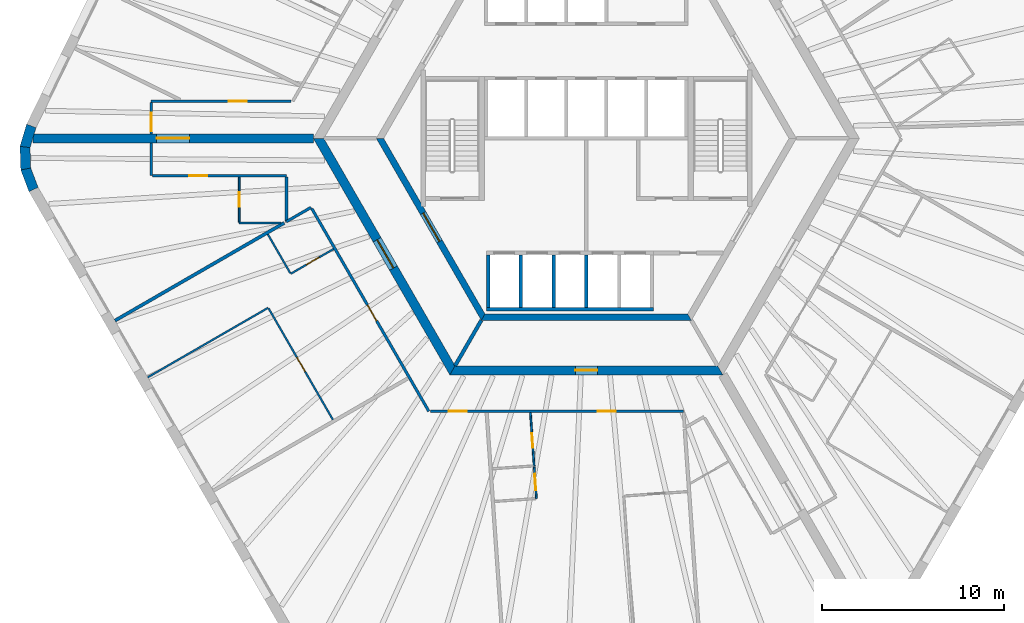
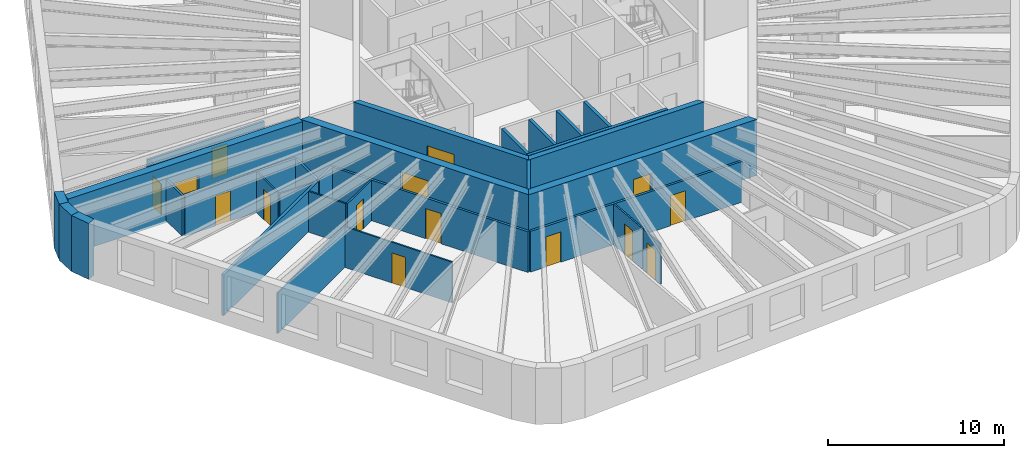
# One storey, part 3 of 10: 31 walls, 15 doors, 15 openings.
"""IFC4 building model written with IfcOpenShell, lengths in metres."""

from ifc_helpers import new_model, si_unit, direction, frame, frame_2d, origin, place, context, subcontext, project, spatial, polyline, rectangle, outline, extrude, material, layer, layer_set, type_object, element, fill, save


model = new_model("IFC4")

# Units and contexts
model_context = context("Model", 3, precision=1e-05, world=origin(), true_north=direction((0.0, 1.0)))
body_context = subcontext(model_context, "Body", "Model", "MODEL_VIEW")
ifc_project = project(units=[si_unit("LENGTHUNIT", "METRE"), si_unit("AREAUNIT", "SQUARE_METRE"), si_unit("VOLUMEUNIT", "CUBIC_METRE"), si_unit("PLANEANGLEUNIT", "RADIAN"), si_unit("MASSUNIT", "GRAM", prefix="KILO")], contexts=[model_context])

# Site, building, storey
site_placement = place(None, origin())
site = spatial("IfcSite", under=ifc_project, at=site_placement, CompositionType="ELEMENT")
building_placement = place(site_placement, origin())
building = spatial("IfcBuilding", under=site, at=building_placement, Name="Tarnside Tower", CompositionType="ELEMENT")
storey_placement = place(building_placement, frame((0.0, 0.0, 242.39990234375)))
storey = spatial("IfcBuildingStorey", under=building, at=storey_placement, Name="L58", CompositionType="ELEMENT", Elevation=242.39990234375)

# Wall
ifc_material_1 = material(Name="Gypsum board partition on steel studs", Category="steel")
ifc_layer_1 = layer(ifc_material_1, 0.10009765625)
ifc_layer_set_1 = layer_set([ifc_layer_1], Name="Bathroom wall 100")
wall_type_1 = type_object("IfcWallType", Name="Bathroom wall 100", PredefinedType="PARTITIONING", material=ifc_layer_set_1)
wall_1_placement = place(storey_placement, frame((-16.79833984375, -4.64990234375, 0.0), z_axis=(0.0, 0.0, 1.0), x_axis=(-1.0, 0.0, 0.0)))
element("IfcWall", 1, at=wall_1_placement, inside=storey, type_object=wall_type_1, Name="Bathroom wall 19075", PredefinedType="PARTITIONING", context=body_context, shape_type="SweptSolid", body=[
    extrude(rectangle(XDim=2.28857421875, YDim=0.10009765625, at=frame_2d((1.144287109375, 0.0))), origin(), (0.0, 0.0, 1.0), 2.837890625),
])

# Wall, opening, door
wall_2_placement = place(storey_placement, frame((-19.0869140625, -4.60009765625, 0.0), z_axis=(0.0, 0.0, 1.0), x_axis=(0.0, 1.0, 0.0)))
wall_2 = element("IfcWall", 2, at=wall_2_placement, inside=storey, type_object=wall_type_1, Name="Bathroom wall 19076", PredefinedType="PARTITIONING", context=body_context, shape_type="SweptSolid", body=[
    extrude(rectangle(XDim=2.47509765625, YDim=0.10009765625, at=frame_2d((1.237548828125, 0.0))), origin(), (0.0, 0.0, 1.0), 2.837890625),
])
opening_1_placement = place(wall_2_placement, frame((0.85009765625, 0.0, 0.0)))
opening_1 = element("IfcOpeningElement", 3, at=opening_1_placement, cuts=wall_2, Name="Opening D-B1", PredefinedType="OPENING", context=body_context, shape_type="SweptSolid", body=[
    extrude(rectangle(XDim=0.800048828125, YDim=2.10009765625, at=frame_2d((0.39990234375, 1.050048828125))), frame((0.0, 0.06005859375, 0.0), z_axis=(0.0, -1.0, 0.0), x_axis=(1.0, 0.0, 0.0)), (0.0, 0.0, 1.0), 0.1201171875),
])
ifc_material_2 = material(Name="Timber door leaf", Category="wood")
door_type_1 = type_object("IfcDoorType", Name="Bathroom door 800", OperationType="NOTDEFINED", PredefinedType="DOOR", material=ifc_material_2)
door_1_placement = place(opening_1_placement, origin())
door_1 = element("IfcDoor", 4, at=door_1_placement, inside=storey, type_object=door_type_1, Name="Bathroom door 19015", OperationType="SINGLE_SWING_RIGHT", OverallHeight=2.10009765625, OverallWidth=0.800048828125, PredefinedType="DOOR", context=body_context, shape_type="SweptSolid", body=[
    extrude(rectangle(XDim=0.800048828125, YDim=2.10009765625, at=frame_2d((0.39990234375, 1.050048828125))), frame((0.0, 0.02490234375, 0.0), z_axis=(0.0, -1.0, 0.0), x_axis=(1.0, 0.0, 0.0)), (0.0, 0.0, 1.0), 0.050048828125),
])
fill(opening_1, door_1)

wall_3_placement = place(storey_placement, frame((-13.896484375, -6.080810546875, 0.0), z_axis=(0.0, 0.0, 1.0), x_axis=(-0.866012511928, -0.500022328685, 0.0)))
wall_3 = element("IfcWall", 5, at=wall_3_placement, inside=storey, type_object=wall_type_1, Name="Bathroom wall 19079", PredefinedType="PARTITIONING", context=body_context, shape_type="SweptSolid", body=[
    extrude(rectangle(XDim=2.72509765625, YDim=0.10009765625, at=frame_2d((1.362548828125, 0.0))), origin(), (0.0, 0.0, 1.0), 2.837890625),
])
opening_2_placement = place(wall_3_placement, frame((0.925048828125, 0.0, 0.0)))
opening_2 = element("IfcOpeningElement", 6, at=opening_2_placement, cuts=wall_3, Name="Opening D-B1", PredefinedType="OPENING", context=body_context, shape_type="SweptSolid", body=[
    extrude(rectangle(XDim=0.800048828125, YDim=2.10009765625, at=frame_2d((0.39990234375, 1.050048828125))), frame((0.0, 0.06005859375, 0.0), z_axis=(0.0, -1.0, 0.0), x_axis=(1.0, 0.0, 0.0)), (0.0, 0.0, 1.0), 0.1201171875),
])
door_2_placement = place(opening_2_placement, origin())
door_2 = element("IfcDoor", 7, at=door_2_placement, inside=storey, type_object=door_type_1, Name="Bathroom door 19017", OperationType="SINGLE_SWING_RIGHT", OverallHeight=2.10009765625, OverallWidth=0.800048828125, PredefinedType="DOOR", context=body_context, shape_type="SweptSolid", body=[
    extrude(rectangle(XDim=0.800048828125, YDim=2.10009765625, at=frame_2d((0.39990234375, 1.050048828125))), frame((0.0, 0.02490234375, 0.0), z_axis=(0.0, -1.0, 0.0), x_axis=(1.0, 0.0, 0.0)), (0.0, 0.0, 1.0), 0.050048828125),
])
fill(opening_2, door_2)

# Wall
wall_4_placement = place(storey_placement, frame((-16.28125, -7.39990234375, 0.0), z_axis=(0.0, 0.0, 1.0), x_axis=(-0.500003092839, 0.866023618125, 0.0)))
element("IfcWall", 8, at=wall_4_placement, inside=storey, type_object=wall_type_1, Name="Bathroom wall 19080", PredefinedType="PARTITIONING", context=body_context, shape_type="SweptSolid", body=[
    extrude(rectangle(XDim=2.4599609375, YDim=0.10009765625, at=frame_2d((1.22998046875, 0.0))), origin(), (0.0, 0.0, 1.0), 2.837890625),
])

# Wall, opening, door
wall_5_placement = place(storey_placement, frame((-3.073974609375, -15.074951171875, 0.0), z_axis=(0.0, 0.0, 1.0), x_axis=(0.069798496539, -0.99756111085, 0.0)))
wall_5 = element("IfcWall", 9, at=wall_5_placement, inside=storey, type_object=wall_type_1, Name="Bathroom wall 19088", PredefinedType="PARTITIONING", context=body_context, shape_type="SweptSolid", body=[
    extrude(rectangle(XDim=2.9345703125, YDim=0.10009765625, at=frame_2d((1.46728515625, 0.0))), origin(), (0.0, 0.0, 1.0), 2.837890625),
])
opening_3_placement = place(wall_5_placement, frame((1.134521484375, 0.0, 0.0)))
opening_3 = element("IfcOpeningElement", 10, at=opening_3_placement, cuts=wall_5, Name="Opening D-B1", PredefinedType="OPENING", context=body_context, shape_type="SweptSolid", body=[
    extrude(rectangle(XDim=0.800048828125, YDim=2.10009765625, at=frame_2d((0.39990234375, 1.050048828125))), frame((0.0, 0.06005859375, 0.0), z_axis=(0.0, -1.0, 0.0), x_axis=(1.0, 0.0, 0.0)), (0.0, 0.0, 1.0), 0.1201171875),
])
door_3_placement = place(opening_3_placement, origin())
door_3 = element("IfcDoor", 11, at=door_3_placement, inside=storey, type_object=door_type_1, Name="Bathroom door 19021", OperationType="SINGLE_SWING_LEFT", OverallHeight=2.10009765625, OverallWidth=0.800048828125, PredefinedType="DOOR", context=body_context, shape_type="SweptSolid", body=[
    extrude(rectangle(XDim=0.800048828125, YDim=2.10009765625, at=frame_2d((0.39990234375, 1.050048828125))), frame((0.0, 0.02490234375, 0.0), z_axis=(0.0, -1.0, 0.0), x_axis=(1.0, 0.0, 0.0)), (0.0, 0.0, 1.0), 0.050048828125),
])
fill(opening_3, door_3)

ifc_material_3 = material(Name="Concrete C50/60", Category="concrete")
ifc_layer_2 = layer(ifc_material_3, 0.35009765625)
ifc_layer_set_2 = layer_set([ifc_layer_2], Name="Core block wall 350 C50/60")
wall_type_2 = type_object("IfcWallType", Name="Core block wall 350 C50/60", PredefinedType="SHEAR", material=ifc_layer_set_2)
wall_6_placement = place(storey_placement, frame((-11.344970703125, 0.0, -0.14990234375), z_axis=(0.0, 0.0, 1.0), x_axis=(0.499995046907, -0.866028263435, 0.0)))
wall_6 = element("IfcWall", 12, at=wall_6_placement, inside=storey, type_object=wall_type_2, Name="L58 core block wall face 3", PredefinedType="SHEAR", context=body_context, shape_type="SweptSolid", body=[
    extrude(outline(polyline([(-0.10107421875, -0.175048828125), (11.44580078125, -0.175048828125), (11.24365234375, 0.175048828125), (0.10107421875, 0.175048828125), (-0.10107421875, -0.175048828125)])), origin(), (0.0, 0.0, 1.0), 3.89990234375),
])
opening_4_placement = place(wall_6_placement, frame((4.74365234375, 0.0, 0.14990234375)))
opening_4 = element("IfcOpeningElement", 13, at=opening_4_placement, cuts=wall_6, Name="Opening CD-FFL", PredefinedType="OPENING", context=body_context, shape_type="SweptSolid", body=[
    extrude(rectangle(XDim=1.800048828125, YDim=2.39990234375, at=frame_2d((0.89990234375, 1.199951171875))), frame((0.0, 0.18505859375, 0.0), z_axis=(0.0, -1.0, 0.0), x_axis=(1.0, 0.0, 0.0)), (0.0, 0.0, 1.0), 0.3701171875),
])
ifc_material_4 = material(Name="Steel fire door", Category="steel")
door_type_2 = type_object("IfcDoorType", Name="Firefighting lobby double door FD60S 1800x2400", OperationType="NOTDEFINED", PredefinedType="DOOR", material=ifc_material_4)
door_4_placement = place(opening_4_placement, origin())
door_4 = element("IfcDoor", 14, at=door_4_placement, inside=storey, type_object=door_type_2, Name="L58 lobby block door P3", OperationType="DOUBLE_DOOR_SINGLE_SWING", OverallHeight=2.39990234375, OverallWidth=1.800048828125, PredefinedType="DOOR", context=body_context, shape_type="SweptSolid", body=[
    extrude(rectangle(XDim=1.800048828125, YDim=2.39990234375, at=frame_2d((0.89990234375, 1.199951171875))), frame((0.0, 0.02490234375, 0.0), z_axis=(0.0, -1.0, 0.0), x_axis=(1.0, 0.0, 0.0)), (0.0, 0.0, 1.0), 0.050048828125),
])
fill(opening_4, door_4)

# Wall
wall_7_placement = place(storey_placement, frame((-5.672607421875, -9.824951171875, -0.14990234375), z_axis=(0.0, 0.0, 1.0), x_axis=(1.0, 0.0, 0.0)))
element("IfcWall", 15, at=wall_7_placement, inside=storey, type_object=wall_type_2, Name="L58 core block wall face 4", PredefinedType="SHEAR", context=body_context, shape_type="SweptSolid", body=[
    extrude(outline(polyline([(-0.10107421875, -0.175048828125), (11.4462890625, -0.175048828125), (11.244140625, 0.175048828125), (0.10107421875, 0.175048828125), (-0.10107421875, -0.175048828125)])), origin(), (0.0, 0.0, 1.0), 3.89990234375),
])

# Wall, opening, door
ifc_material_5 = material(Name="Concrete C70/85", Category="concrete")
ifc_layer_3 = layer(ifc_material_5, 0.5)
ifc_layer_set_3 = layer_set([ifc_layer_3], Name="Core wall Z2 500 C70/85")
wall_type_3 = type_object("IfcWallType", Name="Core wall Z2 500 C70/85", PredefinedType="SHEAR", material=ifc_layer_set_3)
wall_8_placement = place(storey_placement, frame((-14.722412109375, 0.0, -0.14990234375), z_axis=(0.0, 0.0, 1.0), x_axis=(0.50000571537, -0.866022103989, 0.0)))
wall_8 = element("IfcWall", 16, at=wall_8_placement, inside=storey, type_object=wall_type_3, Name="L58 core wall face 3", PredefinedType="SHEAR", context=body_context, shape_type="SweptSolid", body=[
    extrude(outline(polyline([(-0.144287109375, -0.25), (14.86669921875, -0.25), (14.578125, 0.25), (0.144287109375, 0.25), (-0.144287109375, -0.25)])), origin(), (0.0, 0.0, 1.0), 3.89990234375),
])
opening_5_placement = place(wall_8_placement, frame((6.432373046875, 0.0, 0.14990234375)))
opening_5 = element("IfcOpeningElement", 17, at=opening_5_placement, cuts=wall_8, Name="Opening CD-FFL", PredefinedType="OPENING", context=body_context, shape_type="SweptSolid", body=[
    extrude(rectangle(XDim=1.800048828125, YDim=2.39990234375, at=frame_2d((0.89990234375, 1.199951171875))), frame((0.0, 0.260009765625, 0.0), z_axis=(0.0, -1.0, 0.0), x_axis=(1.0, 0.0, 0.0)), (0.0, 0.0, 1.0), 0.52001953125),
])
door_5_placement = place(opening_5_placement, origin())
door_5 = element("IfcDoor", 18, at=door_5_placement, inside=storey, type_object=door_type_2, Name="L58 core door P3", OperationType="DOUBLE_DOOR_SINGLE_SWING", OverallHeight=2.39990234375, OverallWidth=1.800048828125, PredefinedType="DOOR", context=body_context, shape_type="SweptSolid", body=[
    extrude(rectangle(XDim=1.800048828125, YDim=2.39990234375, at=frame_2d((0.89990234375, 1.199951171875))), frame((0.0, 0.02490234375, 0.0), z_axis=(0.0, -1.0, 0.0), x_axis=(1.0, 0.0, 0.0)), (0.0, 0.0, 1.0), 0.050048828125),
])
fill(opening_5, door_5)

wall_9_placement = place(storey_placement, frame((-7.361083984375, -12.75, -0.14990234375), z_axis=(0.0, 0.0, 1.0), x_axis=(1.0, 0.0, 0.0)))
wall_9 = element("IfcWall", 19, at=wall_9_placement, inside=storey, type_object=wall_type_3, Name="L58 core wall face 4", PredefinedType="SHEAR", context=body_context, shape_type="SweptSolid", body=[
    extrude(outline(polyline([(-0.144287109375, -0.25), (14.866455078125, -0.25), (14.577880859375, 0.25), (0.144287109375, 0.25), (-0.144287109375, -0.25)])), origin(), (0.0, 0.0, 1.0), 3.89990234375),
])
opening_6_placement = place(wall_9_placement, frame((6.76123046875, 0.0, 0.14990234375)))
opening_6 = element("IfcOpeningElement", 20, at=opening_6_placement, cuts=wall_9, Name="Opening CD-RSR", PredefinedType="OPENING", context=body_context, shape_type="SweptSolid", body=[
    extrude(rectangle(XDim=1.199951171875, YDim=2.39990234375, at=frame_2d((0.60009765625, 1.199951171875))), frame((0.0, 0.260009765625, 0.0), z_axis=(0.0, -1.0, 0.0), x_axis=(1.0, 0.0, 0.0)), (0.0, 0.0, 1.0), 0.52001953125),
])
door_type_3 = type_object("IfcDoorType", Name="Riser door FD60 1200x2400", OperationType="NOTDEFINED", PredefinedType="DOOR", material=ifc_material_4)
door_6_placement = place(opening_6_placement, origin())
door_6 = element("IfcDoor", 21, at=door_6_placement, inside=storey, type_object=door_type_3, Name="L58 core door S6", OperationType="SINGLE_SWING_LEFT", OverallHeight=2.39990234375, OverallWidth=1.199951171875, PredefinedType="DOOR", context=body_context, shape_type="SweptSolid", body=[
    extrude(rectangle(XDim=1.199951171875, YDim=2.39990234375, at=frame_2d((0.60009765625, 1.199951171875))), frame((0.0, 0.02490234375, 0.0), z_axis=(0.0, -1.0, 0.0), x_axis=(1.0, 0.0, 0.0)), (0.0, 0.0, 1.0), 0.050048828125),
])
fill(opening_6, door_6)

wall_10_placement = place(storey_placement, frame((-15.010986328125, 0.0, -0.14990234375), z_axis=(0.0, 0.0, 1.0), x_axis=(-1.0, 0.0, 0.0)))
wall_10 = element("IfcWall", 22, at=wall_10_placement, inside=storey, type_object=wall_type_3, Name="L58 spine wall 2", PredefinedType="SHEAR", context=body_context, shape_type="SweptSolid", body=[
    extrude(rectangle(XDim=15.423828125, YDim=0.5, at=frame_2d((7.7119140625, 0.0))), origin(), (0.0, 0.0, 1.0), 3.89990234375),
])
opening_7_placement = place(wall_10_placement, frame((6.811767578125, 0.0, 0.14990234375)))
opening_7 = element("IfcOpeningElement", 23, at=opening_7_placement, cuts=wall_10, Name="Opening CD-SPN", PredefinedType="OPENING", context=body_context, shape_type="SweptSolid", body=[
    extrude(rectangle(XDim=1.800048828125, YDim=2.39990234375, at=frame_2d((0.89990234375, 1.199951171875))), frame((0.0, 0.260009765625, 0.0), z_axis=(0.0, -1.0, 0.0), x_axis=(1.0, 0.0, 0.0)), (0.0, 0.0, 1.0), 0.52001953125),
])
door_type_4 = type_object("IfcDoorType", Name="Spine passage double door FD60 1800x2400", OperationType="NOTDEFINED", PredefinedType="DOOR", material=ifc_material_4)
door_7_placement = place(opening_7_placement, origin())
door_7 = element("IfcDoor", 24, at=door_7_placement, inside=storey, type_object=door_type_4, Name="L58 spine passage door 2", OperationType="DOUBLE_DOOR_SINGLE_SWING", OverallHeight=2.39990234375, OverallWidth=1.800048828125, PredefinedType="DOOR", context=body_context, shape_type="SweptSolid", body=[
    extrude(rectangle(XDim=1.800048828125, YDim=2.39990234375, at=frame_2d((0.89990234375, 1.199951171875))), frame((0.0, 0.02490234375, 0.0), z_axis=(0.0, -1.0, 0.0), x_axis=(1.0, 0.0, 0.0)), (0.0, 0.0, 1.0), 0.050048828125),
])
fill(opening_7, door_7)

ifc_layer_4 = layer(ifc_material_1, 0.14990234375)
ifc_layer_set_4 = layer_set([ifc_layer_4], Name="Corridor wall 150 EI 60")
wall_type_4 = type_object("IfcWallType", Name="Corridor wall 150 EI 60", PredefinedType="PARTITIONING", material=ifc_layer_set_4)
wall_11_placement = place(storey_placement, frame((-16.2236328125, 2.050048828125, 0.0), z_axis=(0.0, 0.0, 1.0), x_axis=(-1.0, 0.0, 0.0)))
wall_11 = element("IfcWall", 25, at=wall_11_placement, inside=storey, type_object=wall_type_4, Name="Corridor wall 19015", PredefinedType="PARTITIONING", context=body_context, shape_type="SweptSolid", body=[
    extrude(rectangle(XDim=7.69921875, YDim=0.14990234375, at=frame_2d((3.849609375, 0.0))), origin(), (0.0, 0.0, 1.0), 2.837890625),
])
opening_8_placement = place(wall_11_placement, frame((2.4365234375, 0.0, 0.0)))
opening_8 = element("IfcOpeningElement", 26, at=opening_8_placement, cuts=wall_11, Name="Opening D-E1", PredefinedType="OPENING", context=body_context, shape_type="SweptSolid", body=[
    extrude(rectangle(XDim=1.0, YDim=2.10009765625, at=frame_2d((0.5, 1.050048828125))), frame((0.0, 0.0849609375, 0.0), z_axis=(0.0, -1.0, 0.0), x_axis=(1.0, 0.0, 0.0)), (0.0, 0.0, 1.0), 0.169921875),
])
door_type_5 = type_object("IfcDoorType", Name="Unit entrance door 1000 FD30S", OperationType="NOTDEFINED", PredefinedType="DOOR", material=ifc_material_2)
door_8_placement = place(opening_8_placement, origin())
door_8 = element("IfcDoor", 27, at=door_8_placement, inside=storey, type_object=door_type_5, Name="Unit door 19012", OperationType="SINGLE_SWING_RIGHT", OverallHeight=2.10009765625, OverallWidth=1.0, PredefinedType="DOOR", context=body_context, shape_type="SweptSolid", body=[
    extrude(rectangle(XDim=1.0, YDim=2.10009765625, at=frame_2d((0.5, 1.050048828125))), frame((0.0, 0.02490234375, 0.0), z_axis=(0.0, -1.0, 0.0), x_axis=(1.0, 0.0, 0.0)), (0.0, 0.0, 1.0), 0.050048828125),
])
fill(opening_8, door_8)

wall_12_placement = place(storey_placement, frame((-23.9228515625, 1.97509765625, 0.0), z_axis=(0.0, 0.0, 1.0), x_axis=(0.0, -1.0, 0.0)))
wall_12 = element("IfcWall", 28, at=wall_12_placement, inside=storey, type_object=wall_type_4, Name="Corridor wall 19017", PredefinedType="PARTITIONING", context=body_context, shape_type="SweptSolid", body=[
    extrude(rectangle(XDim=1.72509765625, YDim=0.14990234375, at=frame_2d((0.862548828125, 0.0))), origin(), (0.0, 0.0, 1.0), 2.837890625),
])
opening_9_placement = place(wall_12_placement, frame((0.574951171875, 0.0, 0.0)))
opening_9 = element("IfcOpeningElement", 29, at=opening_9_placement, cuts=wall_12, Name="Opening D-E1", PredefinedType="OPENING", context=body_context, shape_type="SweptSolid", body=[
    extrude(rectangle(XDim=1.0, YDim=2.10009765625, at=frame_2d((0.5, 1.050048828125))), frame((0.0, 0.0849609375, 0.0), z_axis=(0.0, -1.0, 0.0), x_axis=(1.0, 0.0, 0.0)), (0.0, 0.0, 1.0), 0.169921875),
])
door_9_placement = place(opening_9_placement, origin())
door_9 = element("IfcDoor", 30, at=door_9_placement, inside=storey, type_object=door_type_5, Name="Unit door 19013", OperationType="SINGLE_SWING_LEFT", OverallHeight=2.10009765625, OverallWidth=1.0, PredefinedType="DOOR", context=body_context, shape_type="SweptSolid", body=[
    extrude(rectangle(XDim=1.0, YDim=2.10009765625, at=frame_2d((0.5, 1.050048828125))), frame((0.0, 0.02490234375, 0.0), z_axis=(0.0, -1.0, 0.0), x_axis=(1.0, 0.0, 0.0)), (0.0, 0.0, 1.0), 0.050048828125),
])
fill(opening_9, door_9)

# Wall
wall_13_placement = place(storey_placement, frame((-23.9228515625, -0.25, 0.0), z_axis=(0.0, 0.0, 1.0), x_axis=(0.0, -1.0, 0.0)))
element("IfcWall", 31, at=wall_13_placement, inside=storey, type_object=wall_type_4, Name="Corridor wall 19018", PredefinedType="PARTITIONING", context=body_context, shape_type="SweptSolid", body=[
    extrude(rectangle(XDim=1.800048828125, YDim=0.14990234375, at=frame_2d((0.89990234375, 0.0))), origin(), (0.0, 0.0, 1.0), 2.837890625),
])

# Wall, opening, door
wall_14_placement = place(storey_placement, frame((-23.847900390625, -2.050048828125, 0.0), z_axis=(0.0, 0.0, 1.0), x_axis=(1.0, 0.0, 0.0)))
wall_14 = element("IfcWall", 32, at=wall_14_placement, inside=storey, type_object=wall_type_4, Name="Corridor wall 19019", PredefinedType="PARTITIONING", context=body_context, shape_type="SweptSolid", body=[
    extrude(rectangle(XDim=7.36083984375, YDim=0.14990234375, at=frame_2d((3.680419921875, 0.0))), origin(), (0.0, 0.0, 1.0), 2.837890625),
])
opening_10_placement = place(wall_14_placement, frame((2.01806640625, 0.0, 0.0)))
opening_10 = element("IfcOpeningElement", 33, at=opening_10_placement, cuts=wall_14, Name="Opening D-E1", PredefinedType="OPENING", context=body_context, shape_type="SweptSolid", body=[
    extrude(rectangle(XDim=1.0, YDim=2.10009765625, at=frame_2d((0.5, 1.050048828125))), frame((0.0, 0.0849609375, 0.0), z_axis=(0.0, -1.0, 0.0), x_axis=(1.0, 0.0, 0.0)), (0.0, 0.0, 1.0), 0.169921875),
])
door_10_placement = place(opening_10_placement, origin())
door_10 = element("IfcDoor", 34, at=door_10_placement, inside=storey, type_object=door_type_5, Name="Unit door 19014", OperationType="SINGLE_SWING_LEFT", OverallHeight=2.10009765625, OverallWidth=1.0, PredefinedType="DOOR", context=body_context, shape_type="SweptSolid", body=[
    extrude(rectangle(XDim=1.0, YDim=2.10009765625, at=frame_2d((0.5, 1.050048828125))), frame((0.0, 0.02490234375, 0.0), z_axis=(0.0, -1.0, 0.0), x_axis=(1.0, 0.0, 0.0)), (0.0, 0.0, 1.0), 0.050048828125),
])
fill(opening_10, door_10)

# Wall
wall_15_placement = place(storey_placement, frame((-16.487060546875, -2.125, 0.0), z_axis=(0.0, 0.0, 1.0), x_axis=(0.0, -1.0, 0.0)))
element("IfcWall", 35, at=wall_15_placement, inside=storey, type_object=wall_type_4, Name="Corridor wall 19021", PredefinedType="PARTITIONING", context=body_context, shape_type="SweptSolid", body=[
    extrude(rectangle(XDim=2.44921875, YDim=0.14990234375, at=frame_2d((1.224609375, 0.0))), origin(), (0.0, 0.0, 1.0), 2.837890625),
])

# Wall, opening, door
wall_16_placement = place(storey_placement, frame((-15.093994140625, -3.8564453125, 0.0), z_axis=(0.0, 0.0, 1.0), x_axis=(0.500006037985, -0.866021917724, 0.0)))
wall_16 = element("IfcWall", 36, at=wall_16_placement, inside=storey, type_object=wall_type_4, Name="Corridor wall 19022", PredefinedType="PARTITIONING", context=body_context, shape_type="SweptSolid", body=[
    extrude(rectangle(XDim=12.867431640625, YDim=0.14990234375, at=frame_2d((6.43359375, 0.0))), origin(), (0.0, 0.0, 1.0), 2.837890625),
])
opening_11_placement = place(wall_16_placement, frame((6.125, 0.0, 0.0)))
opening_11 = element("IfcOpeningElement", 37, at=opening_11_placement, cuts=wall_16, Name="Opening D-E1", PredefinedType="OPENING", context=body_context, shape_type="SweptSolid", body=[
    extrude(rectangle(XDim=1.0, YDim=2.10009765625, at=frame_2d((0.5, 1.050048828125))), frame((0.0, 0.0849609375, 0.0), z_axis=(0.0, -1.0, 0.0), x_axis=(1.0, 0.0, 0.0)), (0.0, 0.0, 1.0), 0.169921875),
])
door_11_placement = place(opening_11_placement, origin())
door_11 = element("IfcDoor", 38, at=door_11_placement, inside=storey, type_object=door_type_5, Name="Unit door 19016", OperationType="SINGLE_SWING_LEFT", OverallHeight=2.10009765625, OverallWidth=1.0, PredefinedType="DOOR", context=body_context, shape_type="SweptSolid", body=[
    extrude(rectangle(XDim=1.0, YDim=2.10009765625, at=frame_2d((0.5, 1.050048828125))), frame((0.0, 0.02490234375, 0.0), z_axis=(0.0, -1.0, 0.0), x_axis=(1.0, 0.0, 0.0)), (0.0, 0.0, 1.0), 0.050048828125),
])
fill(opening_11, door_11)

# Wall
wall_17_placement = place(storey_placement, frame((-16.490234375, -4.576171875, 0.0), z_axis=(0.0, 0.0, 1.0), x_axis=(0.865993845424, 0.5000546567, 0.0)))
element("IfcWall", 39, at=wall_17_placement, inside=storey, type_object=wall_type_4, Name="Corridor wall 19023", PredefinedType="PARTITIONING", context=body_context, shape_type="SweptSolid", body=[
    extrude(rectangle(XDim=1.569091796875, YDim=0.14990234375, at=frame_2d((0.78466796875, 0.0))), origin(), (0.0, 0.0, 1.0), 2.837890625),
])

# Wall, openings, doors
wall_18_placement = place(storey_placement, frame((-8.57373046875, -15.0, 0.0), z_axis=(0.0, 0.0, 1.0), x_axis=(1.0, 0.0, 0.0)))
wall_18 = element("IfcWall", 40, at=wall_18_placement, inside=storey, type_object=wall_type_4, Name="Corridor wall 19026", PredefinedType="PARTITIONING", context=body_context, shape_type="SweptSolid", body=[
    extrude(rectangle(XDim=13.9150390625, YDim=0.14990234375, at=frame_2d((6.95751953125, 0.0))), origin(), (0.0, 0.0, 1.0), 2.837890625),
])
opening_12_placement = place(wall_18_placement, frame((1.0009765625, 0.0, 0.0)))
opening_12 = element("IfcOpeningElement", 41, at=opening_12_placement, cuts=wall_18, Name="Opening D-E1", PredefinedType="OPENING", context=body_context, shape_type="SweptSolid", body=[
    extrude(rectangle(XDim=1.0, YDim=2.10009765625, at=frame_2d((0.5, 1.050048828125))), frame((0.0, 0.0849609375, 0.0), z_axis=(0.0, -1.0, 0.0), x_axis=(1.0, 0.0, 0.0)), (0.0, 0.0, 1.0), 0.169921875),
])
opening_13_placement = place(wall_18_placement, frame((9.198974609375, 0.0, 0.0)))
opening_13 = element("IfcOpeningElement", 42, at=opening_13_placement, cuts=wall_18, Name="Opening D-E1", PredefinedType="OPENING", context=body_context, shape_type="SweptSolid", body=[
    extrude(rectangle(XDim=1.0, YDim=2.10009765625, at=frame_2d((0.5, 1.050048828125))), frame((0.0, 0.0849609375, 0.0), z_axis=(0.0, -1.0, 0.0), x_axis=(1.0, 0.0, 0.0)), (0.0, 0.0, 1.0), 0.169921875),
])
door_12_placement = place(opening_12_placement, origin())
door_12 = element("IfcDoor", 43, at=door_12_placement, inside=storey, type_object=door_type_5, Name="Unit door 19019", OperationType="SINGLE_SWING_RIGHT", OverallHeight=2.10009765625, OverallWidth=1.0, PredefinedType="DOOR", context=body_context, shape_type="SweptSolid", body=[
    extrude(rectangle(XDim=1.0, YDim=2.10009765625, at=frame_2d((0.5, 1.050048828125))), frame((0.0, 0.02490234375, 0.0), z_axis=(0.0, -1.0, 0.0), x_axis=(1.0, 0.0, 0.0)), (0.0, 0.0, 1.0), 0.050048828125),
])
fill(opening_12, door_12)
door_13_placement = place(opening_13_placement, origin())
door_13 = element("IfcDoor", 44, at=door_13_placement, inside=storey, type_object=door_type_5, Name="Unit door 19020", OperationType="SINGLE_SWING_RIGHT", OverallHeight=2.10009765625, OverallWidth=1.0, PredefinedType="DOOR", context=body_context, shape_type="SweptSolid", body=[
    extrude(rectangle(XDim=1.0, YDim=2.10009765625, at=frame_2d((0.5, 1.050048828125))), frame((0.0, 0.02490234375, 0.0), z_axis=(0.0, -1.0, 0.0), x_axis=(1.0, 0.0, 0.0)), (0.0, 0.0, 1.0), 0.050048828125),
])
fill(opening_13, door_13)

# Walls
ifc_layer_5 = layer(ifc_material_1, 0.179931640625)
ifc_layer_set_5 = layer_set([ifc_layer_5], Name="Demising wall 180 EI 60")
wall_type_5 = type_object("IfcWallType", Name="Demising wall 180 EI 60", PredefinedType="PARTITIONING", material=ifc_layer_set_5)
wall_19_placement = place(storey_placement, frame((-25.91357421875, -10.0166015625, 0.0), z_axis=(0.0, 0.0, 1.0), x_axis=(0.86602614826, 0.499998710529, 0.0)))
element("IfcWall", 45, at=wall_19_placement, inside=storey, type_object=wall_type_5, Name="Demising wall 19077", PredefinedType="PARTITIONING", context=body_context, shape_type="SweptSolid", body=[
    extrude(rectangle(XDim=10.7353515625, YDim=0.179931640625, at=frame_2d((5.36767578125, 0.0))), origin(), (0.0, 0.0, 1.0), 2.837890625),
])
ifc_material_6 = material(Name="Concrete C40/50", Category="concrete")
ifc_layer_6 = layer(ifc_material_6, 0.199951171875)
ifc_layer_set_6 = layer_set([ifc_layer_6], Name="Lift shaft wall 200 C40/50")
wall_type_6 = type_object("IfcWallType", Name="Lift shaft wall 200 C40/50", PredefinedType="SHEAR", material=ifc_layer_set_6)
wall_20_placement = place(storey_placement, frame((-5.5, -9.39990234375, -0.25), z_axis=(0.0, 0.0, 1.0), x_axis=(1.0, 0.0, 0.0)))
element("IfcWall", 46, at=wall_20_placement, inside=storey, type_object=wall_type_6, Name="L58 lift shaft back wall R4", PredefinedType="SHEAR", context=body_context, shape_type="SweptSolid", body=[
    extrude(rectangle(XDim=9.199951171875, YDim=0.199951171875, at=frame_2d((4.60009765625, 0.0))), origin(), (0.0, 0.0, 1.0), 3.900146484375),
])
for number, where, z_axis, x_axis, name in (
    (47, (-5.39990234375, -9.300048828125, -0.25), (0.0, 0.0, 1.0), (0.0, 1.0, 0.0), "L58 lift shaft partition R41"),
    (48, (-3.60009765625, -9.300048828125, -0.25), (0.0, 0.0, 1.0), (0.0, 1.0, 0.0), "L58 lift shaft partition R42"),
    (49, (-1.800048828125, -9.300048828125, -0.25), (0.0, 0.0, 1.0), (0.0, 1.0, 0.0), "L58 lift shaft partition R43"),
    (50, (0.0, -9.300048828125, -0.25), (0.0, 0.0, 1.0), (0.0, 1.0, 0.0), "L58 lift shaft partition R44"),
):
    element("IfcWall", number, at=place(storey_placement, frame(where, z_axis=z_axis, x_axis=x_axis)), inside=storey, type_object=wall_type_6, Name=name, PredefinedType="SHEAR", context=body_context, shape_type="SweptSolid", body=[
        extrude(rectangle(XDim=2.900146484375, YDim=0.199951171875, at=frame_2d((1.4501953125, 0.0))), origin(), (0.0, 0.0, 1.0), 3.900146484375),
    ])
wall_21_placement = place(storey_placement, frame((-5.7734375, -10.0, -0.14990234375), z_axis=(0.0, 0.0, 1.0), x_axis=(-0.499995765644, -0.866027848477, 0.0)))
element("IfcWall", 51, at=wall_21_placement, inside=storey, type_object=wall_type_6, Name="L58 core partition AR240", PredefinedType="SHEAR", context=body_context, shape_type="SweptSolid", body=[
    extrude(rectangle(XDim=2.88671875, YDim=0.199951171875, at=frame_2d((1.443359375, 0.0))), origin(), (0.0, 0.0, 1.0), 3.89990234375),
])
ifc_layer_7 = layer(ifc_material_1, 0.10009765625)
ifc_layer_set_7 = layer_set([ifc_layer_7], Name="Partition 100")
wall_type_7 = type_object("IfcWallType", Name="Partition 100", PredefinedType="PARTITIONING", material=ifc_layer_set_7)
wall_22_placement = place(storey_placement, frame((-24.113525390625, -13.13427734375, 0.0), z_axis=(0.0, 0.0, 1.0), x_axis=(0.866033062874, 0.499986733834, 0.0)))
element("IfcWall", 52, at=wall_22_placement, inside=storey, type_object=wall_type_7, Name="Partition wall 19081", PredefinedType="PARTITIONING", context=body_context, shape_type="SweptSolid", body=[
    extrude(rectangle(XDim=7.650146484375, YDim=0.10009765625, at=frame_2d((3.8251953125, 0.0))), origin(), (0.0, 0.0, 1.0), 2.837890625),
])

# Wall, opening, door
wall_23_placement = place(storey_placement, frame((-17.46337890625, -9.3525390625, 0.0), z_axis=(0.0, 0.0, 1.0), x_axis=(0.499995846692, -0.866027801685, 0.0)))
wall_23 = element("IfcWall", 53, at=wall_23_placement, inside=storey, type_object=wall_type_7, Name="Partition wall 19082", PredefinedType="PARTITIONING", context=body_context, shape_type="SweptSolid", body=[
    extrude(rectangle(XDim=7.06005859375, YDim=0.10009765625, at=frame_2d((3.530029296875, 0.0))), origin(), (0.0, 0.0, 1.0), 2.837890625),
])
opening_14_placement = place(wall_23_placement, frame((3.10009765625, 0.0, 0.0)))
opening_14 = element("IfcOpeningElement", 54, at=opening_14_placement, cuts=wall_23, Name="Opening D-I1", PredefinedType="OPENING", context=body_context, shape_type="SweptSolid", body=[
    extrude(rectangle(XDim=0.89990234375, YDim=2.10009765625, at=frame_2d((0.449951171875, 1.050048828125))), frame((0.0, 0.06005859375, 0.0), z_axis=(0.0, -1.0, 0.0), x_axis=(1.0, 0.0, 0.0)), (0.0, 0.0, 1.0), 0.1201171875),
])
door_type_6 = type_object("IfcDoorType", Name="Internal door 900", OperationType="NOTDEFINED", PredefinedType="DOOR", material=ifc_material_2)
door_14_placement = place(opening_14_placement, origin())
door_14 = element("IfcDoor", 55, at=door_14_placement, inside=storey, type_object=door_type_6, Name="Internal door 19018", OperationType="SINGLE_SWING_RIGHT", OverallHeight=2.10009765625, OverallWidth=0.89990234375, PredefinedType="DOOR", context=body_context, shape_type="SweptSolid", body=[
    extrude(rectangle(XDim=0.89990234375, YDim=2.10009765625, at=frame_2d((0.449951171875, 1.050048828125))), frame((0.0, 0.02490234375, 0.0), z_axis=(0.0, -1.0, 0.0), x_axis=(1.0, 0.0, 0.0)), (0.0, 0.0, 1.0), 0.050048828125),
])
fill(opening_14, door_14)

wall_24_placement = place(storey_placement, frame((-2.86572265625, -18.05224609375, 0.0), z_axis=(0.0, 0.0, 1.0), x_axis=(0.069750000204, -0.997564502913, 0.0)))
wall_24 = element("IfcWall", 56, at=wall_24_placement, inside=storey, type_object=wall_type_7, Name="Partition wall 19089", PredefinedType="PARTITIONING", context=body_context, shape_type="SweptSolid", body=[
    extrude(rectangle(XDim=1.75, YDim=0.10009765625, at=frame_2d((0.875, 0.0))), origin(), (0.0, 0.0, 1.0), 2.837890625),
])
opening_15_placement = place(wall_24_placement, frame((0.39990234375, 0.0, 0.0)))
opening_15 = element("IfcOpeningElement", 57, at=opening_15_placement, cuts=wall_24, Name="Opening D-I1", PredefinedType="OPENING", context=body_context, shape_type="SweptSolid", body=[
    extrude(rectangle(XDim=0.89990234375, YDim=2.10009765625, at=frame_2d((0.449951171875, 1.050048828125))), frame((0.0, 0.06005859375, 0.0), z_axis=(0.0, -1.0, 0.0), x_axis=(1.0, 0.0, 0.0)), (0.0, 0.0, 1.0), 0.1201171875),
])
door_15_placement = place(opening_15_placement, origin())
door_15 = element("IfcDoor", 58, at=door_15_placement, inside=storey, type_object=door_type_6, Name="Internal door 19022", OperationType="SINGLE_SWING_RIGHT", OverallHeight=2.10009765625, OverallWidth=0.89990234375, PredefinedType="DOOR", context=body_context, shape_type="SweptSolid", body=[
    extrude(rectangle(XDim=0.89990234375, YDim=2.10009765625, at=frame_2d((0.449951171875, 1.050048828125))), frame((0.0, 0.02490234375, 0.0), z_axis=(0.0, -1.0, 0.0), x_axis=(1.0, 0.0, 0.0)), (0.0, 0.0, 1.0), 0.050048828125),
])
fill(opening_15, door_15)

# Walls
ifc_material_7 = material(Name="Facing brick", Category="masonry")
ifc_layer_8 = layer(ifc_material_7, 0.10205078125)
ifc_material_8 = material(Name="Concrete C60/75 precast", Category="concrete")
ifc_layer_9 = layer(ifc_material_8, 0.347900390625)
ifc_material_9 = material(Name="Mineral wool insulation")
ifc_layer_10 = layer(ifc_material_9, 0.10009765625)
ifc_layer_set_8 = layer_set([ifc_layer_8, ifc_layer_9, ifc_layer_10], Name="Tube wall 550 brick faced")
wall_type_8 = type_object("IfcWallType", Name="Tube wall 550 brick faced", PredefinedType="SOLIDWALL", material=ifc_layer_set_8)
wall_25_placement = place(storey_placement, frame((-30.51318359375, 0.684326171875, -0.14990234375), z_axis=(0.0, 0.0, 1.0), x_axis=(-0.286736058109, -0.958009620505, 0.0)))
element("IfcWall", 59, at=wall_25_placement, inside=storey, type_object=wall_type_8, Name="Tube wall L58 F2 chord 05", PredefinedType="SOLIDWALL", context=body_context, shape_type="SweptSolid", body=[
    extrude(outline(polyline([(-0.0224609375, -0.27490234375), (1.25341796875, -0.27490234375), (1.1630859375, 0.27490234375), (0.0224609375, 0.27490234375), (-0.0224609375, -0.27490234375)])), origin(), (0.0, 0.0, 1.0), 3.89990234375),
])
wall_26_placement = place(storey_placement, frame((-30.859619140625, -0.47314453125, -0.14990234375), z_axis=(0.0, 0.0, 1.0), x_axis=(0.03495638276, -0.999388838893, 0.0)))
element("IfcWall", 60, at=wall_26_placement, inside=storey, type_object=wall_type_8, Name="Tube wall L58 F2 chord 06", PredefinedType="SOLIDWALL", context=body_context, shape_type="SweptSolid", body=[
    extrude(outline(polyline([(-0.045166015625, -0.27490234375), (1.25341796875, -0.27490234375), (1.1630859375, 0.27490234375), (0.045166015625, 0.27490234375), (-0.045166015625, -0.27490234375)])), origin(), (0.0, 0.0, 1.0), 3.89990234375),
])
wall_27_placement = place(storey_placement, frame((-30.8173828125, -1.6806640625, -0.14990234375), z_axis=(0.0, 0.0, 1.0), x_axis=(0.352850303963, -0.935679786569, 0.0)))
element("IfcWall", 61, at=wall_27_placement, inside=storey, type_object=wall_type_8, Name="Tube wall L58 F2 chord 07", PredefinedType="SOLIDWALL", context=body_context, shape_type="SweptSolid", body=[
    extrude(outline(polyline([(-0.045166015625, -0.27490234375), (1.23046875, -0.27490234375), (1.185546875, 0.27490234375), (0.045166015625, 0.27490234375), (-0.045166015625, -0.27490234375)])), origin(), (0.0, 0.0, 1.0), 3.89990234375),
])

save(model, "model.ifc")
